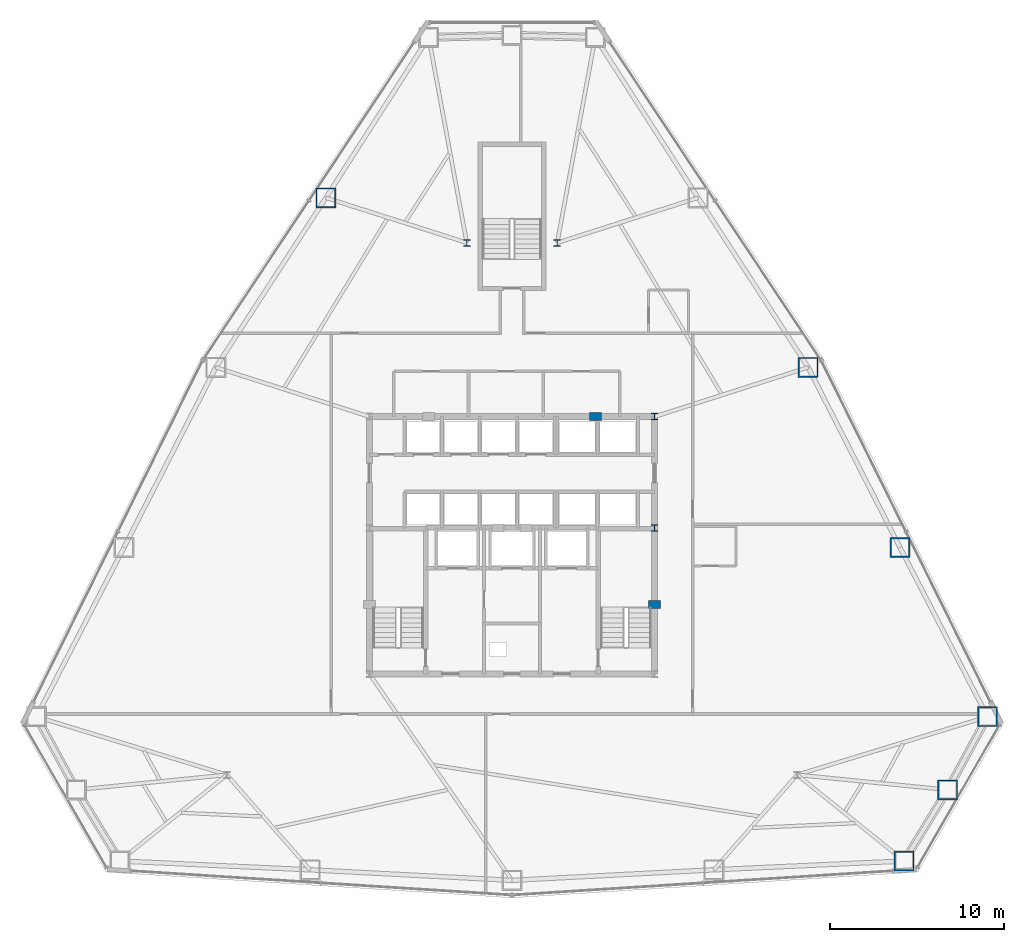
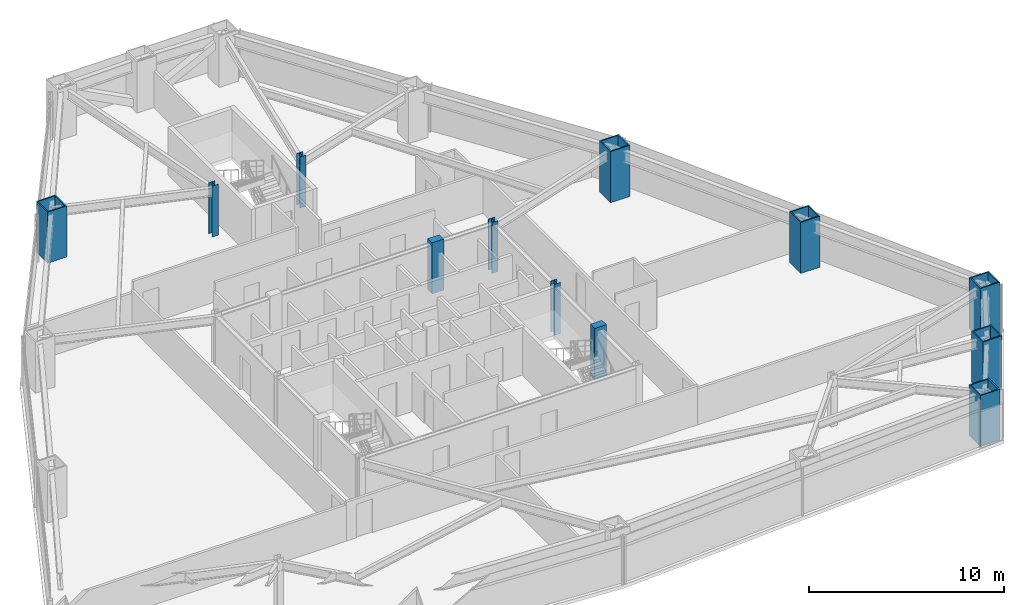
# One storey, part 2 of 12: 12 columns.
"""IFC4 building model written with IfcOpenShell, lengths in metres."""

from ifc_helpers import new_model, si_unit, direction, frame, origin, origin_2d, place, context, subcontext, project, spatial, rectangle, hollow_rectangle, i_section, extrude, material, material_profile, profile_set, type_object, element, save


model = new_model("IFC4")

# Units and contexts
model_context = context("Model", 3, precision=1e-05, world=origin(), true_north=direction((0.0, 1.0)))
body_context = subcontext(model_context, "Body", "Model", "MODEL_VIEW")
ifc_project = project(units=[si_unit("LENGTHUNIT", "METRE"), si_unit("AREAUNIT", "SQUARE_METRE"), si_unit("VOLUMEUNIT", "CUBIC_METRE"), si_unit("PLANEANGLEUNIT", "RADIAN"), si_unit("MASSUNIT", "GRAM", prefix="KILO")], contexts=[model_context])

# Site, building, storey
site_placement = place(None, origin())
site = spatial("IfcSite", under=ifc_project, at=site_placement, CompositionType="ELEMENT")
building_placement = place(site_placement, origin())
building = spatial("IfcBuilding", under=site, at=building_placement, Name="Varakhsha Concourse Tower", CompositionType="ELEMENT")
storey_placement = place(building_placement, frame((0.0, 0.0, 62.39990234375)))
storey = spatial("IfcBuildingStorey", under=building, at=storey_placement, Name="L17", CompositionType="ELEMENT", Elevation=62.39990234375)

# Columns
ifc_material_1 = material(Name="Structural Steel ASTM A992 Grade 50", Category="steel")
ifc_material_profile_1 = material_profile(ifc_material_1, i_section(OverallWidth=0.3740234375, OverallDepth=0.3720703125, WebThickness=0.01611328125, FlangeThickness=0.02587890625, at=origin_2d()), Name="W14X132")
ifc_profile_set_1 = profile_set([ifc_material_profile_1], Name="Structural Steel ASTM A992 Grade 50")
column_type_1 = type_object("IfcColumnType", Name="CL-CORE-W14X132", PredefinedType="COLUMN", material=ifc_profile_set_1)
for number, where, z_axis, x_axis, name in (
    (1, (48.199951171875, 24.800048828125, 0.0), (0.0, 0.0, 1.0), (1.0, 0.0, 0.0), "L17 Core Column CC-ME"),
    (2, (48.199951171875, 31.199951171875, 0.0), (0.0, 0.0, 1.0), (1.0, 0.0, 0.0), "L17 Core Column CC-NE"),
    (3, (37.39990234375, 41.199951171875, 0.0), (0.0, 0.0, 1.0), (1.0, 0.0, 0.0), "L17 Core Column NS-W"),
    (4, (42.60009765625, 41.199951171875, 0.0), (0.0, 0.0, 1.0), (1.0, 0.0, 0.0), "L17 Core Column NS-E"),
):
    element("IfcColumn", number, at=place(storey_placement, frame(where, z_axis=z_axis, x_axis=x_axis)), inside=storey, type_object=column_type_1, Name=name, PredefinedType="COLUMN", context=body_context, shape_type="SweptSolid", body=[
        extrude(i_section(OverallWidth=0.3740234375, OverallDepth=0.3720703125, WebThickness=0.01611328125, FlangeThickness=0.02587890625, at=origin_2d()), origin(), (0.0, 0.0, 1.0), 3.2001953125),
    ])
ifc_material_2 = material(Name="Concrete fc 65 MPa", Category="concrete")
ifc_material_profile_2 = material_profile(ifc_material_2, rectangle(XDim=0.699951171875, YDim=0.449951171875, at=origin_2d()), Name="RC 700x450")
ifc_profile_set_2 = profile_set([ifc_material_profile_2], Name="Concrete fc 65 MPa")
column_type_2 = type_object("IfcColumnType", Name="CL-PIL-700X450", PredefinedType="PILASTER", material=ifc_profile_set_2)
for number, where, z_axis, x_axis, name in (
    (5, (48.199951171875, 20.39990234375, 0.0), (0.0, 0.0, 1.0), (1.0, 0.0, 0.0), "L17 Core Boundary Pilaster PIL-E1"),
    (6, (44.800048828125, 31.199951171875, 0.0), (0.0, 0.0, 1.0), (1.0, 0.0, 0.0), "L17 Core Boundary Pilaster PIL-N2"),
):
    element("IfcColumn", number, at=place(storey_placement, frame(where, z_axis=z_axis, x_axis=x_axis)), inside=storey, type_object=column_type_2, Name=name, PredefinedType="PILASTER", context=body_context, shape_type="SweptSolid", body=[
        extrude(rectangle(XDim=0.699951171875, YDim=0.449951171875, at=origin_2d()), origin(), (0.0, 0.0, 1.0), 3.2001953125),
    ])
ifc_material_3 = material(Name="Structural Steel ASTM A572 Grade 50", Category="steel")
ifc_material_profile_3 = material_profile(ifc_material_3, hollow_rectangle(XDim=1.14990234375, YDim=1.14990234375, WallThickness=0.074951171875, at=origin_2d()), Name="BOX 1150x1150x75")
ifc_profile_set_3 = profile_set([ifc_material_profile_3], Name="Structural Steel ASTM A572 Grade 50")
column_type_3 = type_object("IfcColumnType", Name="CL-TUBE-1150", PredefinedType="COLUMN", material=ifc_profile_set_3)
for number, where, z_axis, x_axis, name in (
    (7, (29.298583984375, 43.7900390625, 0.0), (0.0, 0.0, 1.0), (1.0, 0.0, 0.0), "L17 Framed-Tube Column TC04"),
    (8, (62.5595703125, 5.642822265625, 0.0), (0.0, 0.0, 1.0), (1.0, 0.0, 0.0), "L17 Framed-Tube Column TC13"),
    (9, (65.0576171875, 9.73291015625, 0.0), (0.0, 0.0, 1.0), (1.0, 0.0, 0.0), "L17 Framed-Tube Column TC14"),
    (10, (67.3505859375, 13.94140625, 0.0), (0.0, 0.0, 1.0), (1.0, 0.0, 0.0), "L17 Framed-Tube Column TC15"),
    (11, (62.31640625, 23.672607421875, 0.0), (0.0, 0.0, 1.0), (1.0, 0.0, 0.0), "L17 Framed-Tube Column TC16"),
    (12, (57.034912109375, 34.03515625, 0.0), (0.0, 0.0, 1.0), (1.0, 0.0, 0.0), "L17 Framed-Tube Column TC17"),
):
    element("IfcColumn", number, at=place(storey_placement, frame(where, z_axis=z_axis, x_axis=x_axis)), inside=storey, type_object=column_type_3, Name=name, PredefinedType="COLUMN", context=body_context, shape_type="SweptSolid", body=[
        extrude(hollow_rectangle(XDim=1.14990234375, YDim=1.14990234375, WallThickness=0.074951171875, at=origin_2d()), origin(), (0.0, 0.0, 1.0), 3.2001953125),
    ])

save(model, "model.ifc")
